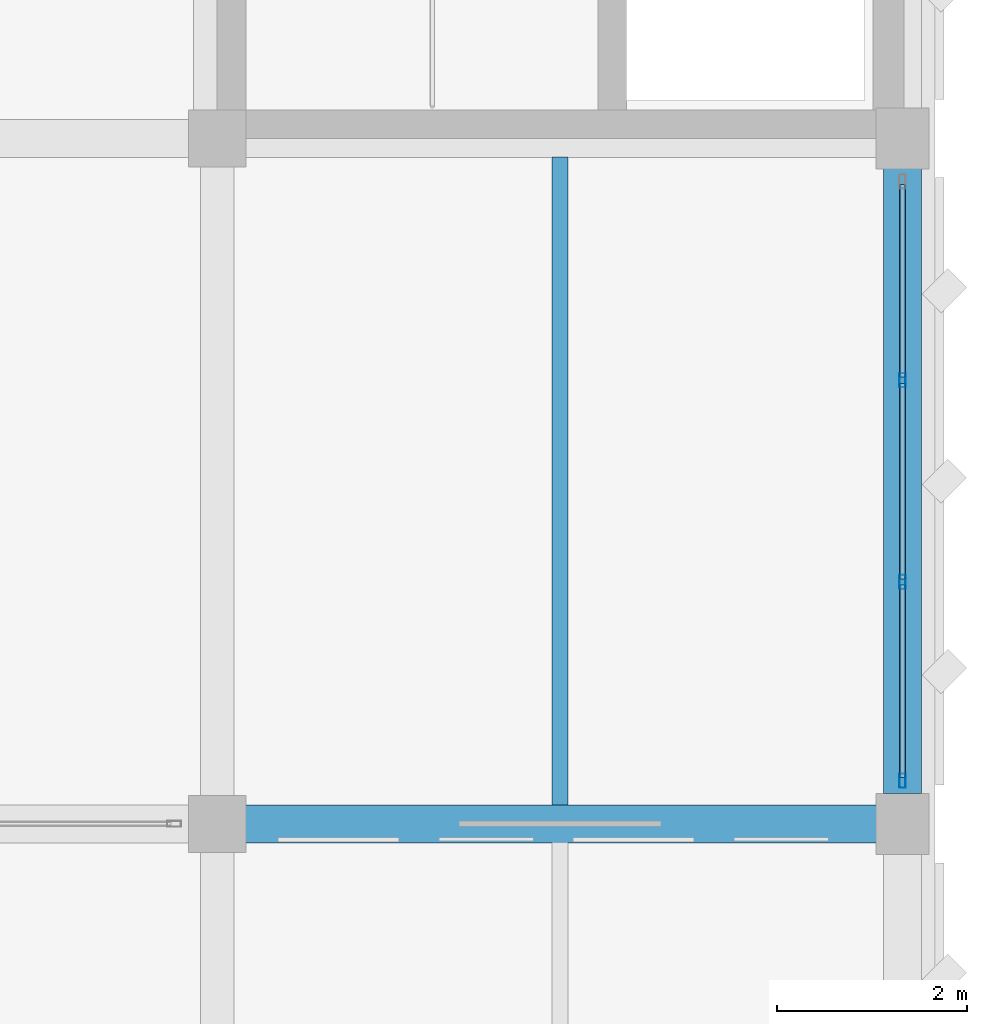
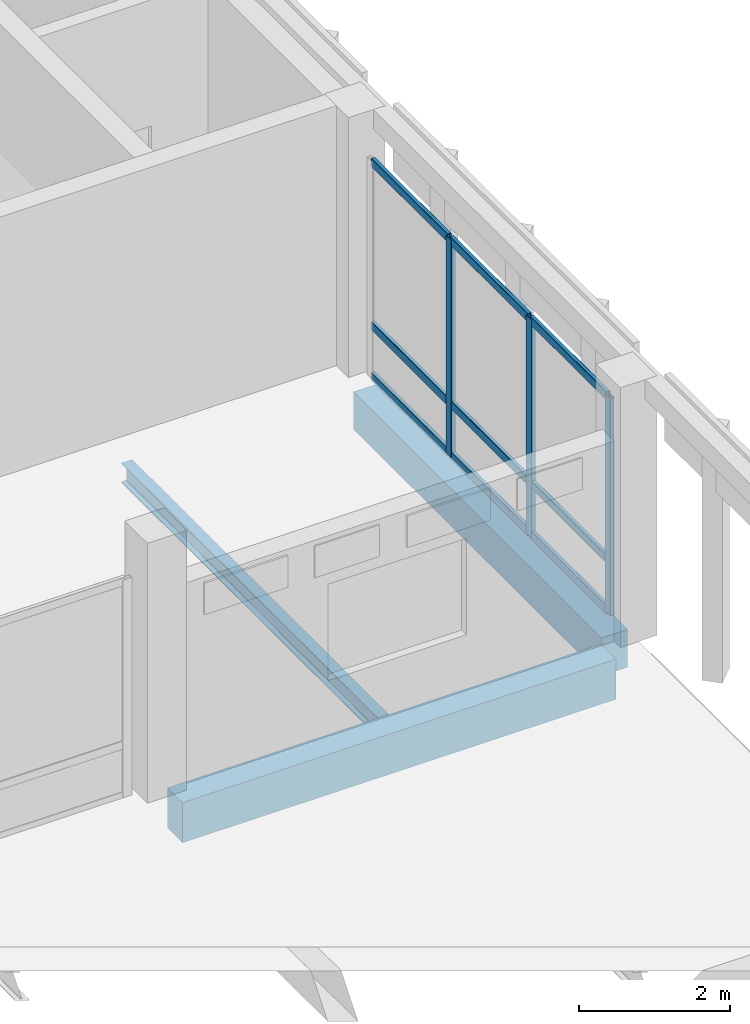
# One storey, part 117 of 158: 12 members, 3 beams, 1 element without a shape of its own.
"""IFC4 building model written with IfcOpenShell, lengths in metres."""

from ifc_helpers import new_model, si_unit, direction, frame, origin, origin_2d, place, context, subcontext, project, spatial, rectangle, hollow_rectangle, i_section, extrude, material, material_profile, profile_set, type_object, element, aggregate, save


model = new_model("IFC4")

# Units and contexts
model_context = context("Model", 3, precision=1e-05, world=origin(), true_north=direction((0.0, 1.0)))
body_context = subcontext(model_context, "Body", "Model", "MODEL_VIEW")
ifc_project = project(units=[si_unit("LENGTHUNIT", "METRE"), si_unit("AREAUNIT", "SQUARE_METRE"), si_unit("VOLUMEUNIT", "CUBIC_METRE"), si_unit("PLANEANGLEUNIT", "RADIAN"), si_unit("MASSUNIT", "GRAM", prefix="KILO")], contexts=[model_context])

# Site, building, storey
site_placement = place(None, origin())
site = spatial("IfcSite", under=ifc_project, at=site_placement, CompositionType="ELEMENT")
building_placement = place(site_placement, origin())
building = spatial("IfcBuilding", under=site, at=building_placement, Name="Lusvemor Sports Hall", CompositionType="ELEMENT")
storey_placement = place(building_placement, frame((0.0, 0.0, 10.800048828125)))
storey = spatial("IfcBuildingStorey", under=building, at=storey_placement, Name="L02", CompositionType="ELEMENT", Elevation=10.800048828125)

# Beam
ifc_material_1 = material(Name="Concrete C40/50", Category="concrete")
ifc_material_profile_1 = material_profile(ifc_material_1, rectangle(XDim=0.39990234375, YDim=0.64990234375, at=origin_2d()), Name="RC400x650")
ifc_profile_set_1 = profile_set([ifc_material_profile_1], Name="Concrete C40/50")
beam_type_1 = type_object("IfcBeamType", Name="BEAM_RC_650", PredefinedType="BEAM", material=ifc_profile_set_1)
beam_1_placement = place(storey_placement, frame((162.2958984375, 97.199951171875, -0.5849609375), z_axis=(1.0, 0.0, 0.0), x_axis=(0.0, 1.0, 0.0)))
element("IfcBeam", 1, at=beam_1_placement, inside=storey, type_object=beam_type_1, Name="Beam L02 N:19-20", PredefinedType="BEAM", context=body_context, shape_type="SweptSolid", body=[
    extrude(rectangle(XDim=0.39990234375, YDim=0.64990234375, at=origin_2d()), origin(), (0.0, 0.0, 1.0), 6.628173828125),
])

# Curtain wall, members
ifc_material_2 = material(Name="Thermally broken bronze-anodized aluminium", Category="aluminium")
curtain_wall_type = type_object("IfcCurtainWallType", Name="CW_WING_B", PredefinedType="NOTDEFINED", material=ifc_material_2)
curtain_wall_placement = place(storey_placement, origin())
curtain_wall = element("IfcCurtainWall", 2, at=curtain_wall_placement, inside=storey, type_object=curtain_wall_type, Name="Curtain Wall CW-L02-E-2-0", PredefinedType="NOTDEFINED")
ifc_material_3 = material(Name="Thermally broken bronze-anodized aluminium", Category="aluminium")
ifc_material_profile_2 = material_profile(ifc_material_3, hollow_rectangle(XDim=0.06494140625, YDim=0.14990234375, WallThickness=0.00390625, InnerFilletRadius=0.00390625, OuterFilletRadius=0.008056640625, at=origin_2d()), Name="CWMUL150x65x4")
ifc_profile_set_2 = profile_set([ifc_material_profile_2], Name="Thermally broken bronze-anodized aluminium")
member_type_1 = type_object("IfcMemberType", Name="CW_MUL_B", PredefinedType="MULLION", material=ifc_profile_set_2)
member_1_placement = place(storey_placement, frame((169.199951171875, 101.860107421875, 0.0), z_axis=(0.0, 0.0, 1.0), x_axis=(1.0, 0.0, 0.0)))
member_1 = element("IfcMember", 3, at=member_1_placement, type_object=member_type_1, Name="CW02 mullion 2", PredefinedType="MULLION", context=body_context, shape_type="SweptSolid", body=[
    extrude(hollow_rectangle(XDim=0.06494140625, YDim=0.14990234375, WallThickness=0.00390625, InnerFilletRadius=0.00390625, OuterFilletRadius=0.008056640625, at=origin_2d()), origin(), (0.0, 0.0, 1.0), 3.52001953125),
])
member_2_placement = place(storey_placement, frame((169.199951171875, 99.739990234375, 0.0), z_axis=(0.0, 0.0, 1.0), x_axis=(1.0, 0.0, 0.0)))
member_2 = element("IfcMember", 4, at=member_2_placement, type_object=member_type_1, Name="CW02 mullion 3", PredefinedType="MULLION", context=body_context, shape_type="SweptSolid", body=[
    extrude(hollow_rectangle(XDim=0.06494140625, YDim=0.14990234375, WallThickness=0.00390625, InnerFilletRadius=0.00390625, OuterFilletRadius=0.008056640625, at=origin_2d()), origin(), (0.0, 0.0, 1.0), 3.52001953125),
])
member_3_placement = place(storey_placement, frame((169.199951171875, 97.652587890625, 0.0), z_axis=(0.0, 0.0, 1.0), x_axis=(1.0, 0.0, 0.0)))
member_3 = element("IfcMember", 5, at=member_3_placement, type_object=member_type_1, Name="CW02 mullion 4", PredefinedType="MULLION", context=body_context, shape_type="SweptSolid", body=[
    extrude(hollow_rectangle(XDim=0.06494140625, YDim=0.14990234375, WallThickness=0.00390625, InnerFilletRadius=0.00390625, OuterFilletRadius=0.008056640625, at=origin_2d()), origin(), (0.0, 0.0, 1.0), 3.52001953125),
])
ifc_material_4 = material(Name="Thermally broken bronze-anodized aluminium", Category="aluminium")
ifc_material_profile_3 = material_profile(ifc_material_4, hollow_rectangle(XDim=0.06005859375, YDim=0.135009765625, WallThickness=0.00390625, InnerFilletRadius=0.00390625, OuterFilletRadius=0.008056640625, at=origin_2d()), Name="CWTRN135x60x4")
ifc_profile_set_3 = profile_set([ifc_material_profile_3], Name="Thermally broken bronze-anodized aluminium")
member_type_2 = type_object("IfcMemberType", Name="CW_TRN_B", PredefinedType="USERDEFINED", material=ifc_profile_set_3)
member_4_placement = place(storey_placement, frame((169.199951171875, 103.9150390625, 0.030029296875), z_axis=(0.0, -1.0, 0.0), x_axis=(1.0, 0.0, 0.0)))
member_4 = element("IfcMember", 6, at=member_4_placement, type_object=member_type_2, Name="CW02 transom 1.1", ObjectType="TRANSOM", PredefinedType="USERDEFINED", context=body_context, shape_type="SweptSolid", body=[
    extrude(hollow_rectangle(XDim=0.06005859375, YDim=0.135009765625, WallThickness=0.00390625, InnerFilletRadius=0.00390625, OuterFilletRadius=0.008056640625, at=origin_2d()), origin(), (0.0, 0.0, 1.0), 2.0224609375),
])
member_5_placement = place(storey_placement, frame((169.199951171875, 103.9150390625, 0.849853515625), z_axis=(0.0, -1.0, 0.0), x_axis=(1.0, 0.0, 0.0)))
member_5 = element("IfcMember", 7, at=member_5_placement, type_object=member_type_2, Name="CW02 transom 1.2", ObjectType="TRANSOM", PredefinedType="USERDEFINED", context=body_context, shape_type="SweptSolid", body=[
    extrude(hollow_rectangle(XDim=0.06005859375, YDim=0.135009765625, WallThickness=0.00390625, InnerFilletRadius=0.00390625, OuterFilletRadius=0.008056640625, at=origin_2d()), origin(), (0.0, 0.0, 1.0), 2.0224609375),
])
member_6_placement = place(storey_placement, frame((169.199951171875, 103.9150390625, 3.489990234375), z_axis=(0.0, -1.0, 0.0), x_axis=(1.0, 0.0, 0.0)))
member_6 = element("IfcMember", 8, at=member_6_placement, type_object=member_type_2, Name="CW02 transom 1.3", ObjectType="TRANSOM", PredefinedType="USERDEFINED", context=body_context, shape_type="SweptSolid", body=[
    extrude(hollow_rectangle(XDim=0.06005859375, YDim=0.135009765625, WallThickness=0.00390625, InnerFilletRadius=0.00390625, OuterFilletRadius=0.008056640625, at=origin_2d()), origin(), (0.0, 0.0, 1.0), 2.0224609375),
])
member_7_placement = place(storey_placement, frame((169.199951171875, 101.827392578125, 0.030029296875), z_axis=(0.0, -1.0, 0.0), x_axis=(1.0, 0.0, 0.0)))
member_7 = element("IfcMember", 9, at=member_7_placement, type_object=member_type_2, Name="CW02 transom 2.1", ObjectType="TRANSOM", PredefinedType="USERDEFINED", context=body_context, shape_type="SweptSolid", body=[
    extrude(hollow_rectangle(XDim=0.06005859375, YDim=0.135009765625, WallThickness=0.00390625, InnerFilletRadius=0.00390625, OuterFilletRadius=0.008056640625, at=origin_2d()), origin(), (0.0, 0.0, 1.0), 2.054931640625),
])
member_8_placement = place(storey_placement, frame((169.199951171875, 101.827392578125, 0.849853515625), z_axis=(0.0, -1.0, 0.0), x_axis=(1.0, 0.0, 0.0)))
member_8 = element("IfcMember", 10, at=member_8_placement, type_object=member_type_2, Name="CW02 transom 2.2", ObjectType="TRANSOM", PredefinedType="USERDEFINED", context=body_context, shape_type="SweptSolid", body=[
    extrude(hollow_rectangle(XDim=0.06005859375, YDim=0.135009765625, WallThickness=0.00390625, InnerFilletRadius=0.00390625, OuterFilletRadius=0.008056640625, at=origin_2d()), origin(), (0.0, 0.0, 1.0), 2.054931640625),
])
member_9_placement = place(storey_placement, frame((169.199951171875, 101.827392578125, 3.489990234375), z_axis=(0.0, -1.0, 0.0), x_axis=(1.0, 0.0, 0.0)))
member_9 = element("IfcMember", 11, at=member_9_placement, type_object=member_type_2, Name="CW02 transom 2.3", ObjectType="TRANSOM", PredefinedType="USERDEFINED", context=body_context, shape_type="SweptSolid", body=[
    extrude(hollow_rectangle(XDim=0.06005859375, YDim=0.135009765625, WallThickness=0.00390625, InnerFilletRadius=0.00390625, OuterFilletRadius=0.008056640625, at=origin_2d()), origin(), (0.0, 0.0, 1.0), 2.054931640625),
])
member_10_placement = place(storey_placement, frame((169.199951171875, 99.70751953125, 0.030029296875), z_axis=(0.0, -1.0, 0.0), x_axis=(1.0, 0.0, 0.0)))
member_10 = element("IfcMember", 12, at=member_10_placement, type_object=member_type_2, Name="CW02 transom 3.1", ObjectType="TRANSOM", PredefinedType="USERDEFINED", context=body_context, shape_type="SweptSolid", body=[
    extrude(hollow_rectangle(XDim=0.06005859375, YDim=0.135009765625, WallThickness=0.00390625, InnerFilletRadius=0.00390625, OuterFilletRadius=0.008056640625, at=origin_2d()), origin(), (0.0, 0.0, 1.0), 2.0224609375),
])
member_11_placement = place(storey_placement, frame((169.199951171875, 99.70751953125, 0.849853515625), z_axis=(0.0, -1.0, 0.0), x_axis=(1.0, 0.0, 0.0)))
member_11 = element("IfcMember", 13, at=member_11_placement, type_object=member_type_2, Name="CW02 transom 3.2", ObjectType="TRANSOM", PredefinedType="USERDEFINED", context=body_context, shape_type="SweptSolid", body=[
    extrude(hollow_rectangle(XDim=0.06005859375, YDim=0.135009765625, WallThickness=0.00390625, InnerFilletRadius=0.00390625, OuterFilletRadius=0.008056640625, at=origin_2d()), origin(), (0.0, 0.0, 1.0), 2.0224609375),
])
member_12_placement = place(storey_placement, frame((169.199951171875, 99.70751953125, 3.489990234375), z_axis=(0.0, -1.0, 0.0), x_axis=(1.0, 0.0, 0.0)))
member_12 = element("IfcMember", 14, at=member_12_placement, type_object=member_type_2, Name="CW02 transom 3.3", ObjectType="TRANSOM", PredefinedType="USERDEFINED", context=body_context, shape_type="SweptSolid", body=[
    extrude(hollow_rectangle(XDim=0.06005859375, YDim=0.135009765625, WallThickness=0.00390625, InnerFilletRadius=0.00390625, OuterFilletRadius=0.008056640625, at=origin_2d()), origin(), (0.0, 0.0, 1.0), 2.0224609375),
])
aggregate(curtain_wall, [member_1, member_2, member_3, member_4, member_5, member_6, member_7, member_8, member_9, member_10, member_11, member_12])

# Beams
ifc_material_5 = material(Name="Steel S355", Category="steel")
ifc_material_profile_4 = material_profile(ifc_material_5, i_section(OverallWidth=0.1669921875, OverallDepth=0.31689453125, WebThickness=0.007568359375, FlangeThickness=0.01318359375, FilletRadius=0.014892578125, at=origin_2d()), Name="W310x52.0")
ifc_profile_set_4 = profile_set([ifc_material_profile_4], Name="Steel S355")
beam_type_2 = type_object("IfcBeamType", Name="JOIST_ST_310M", PredefinedType="JOIST", material=ifc_profile_set_4)
beam_2_placement = place(storey_placement, frame((165.60009765625, 97.39599609375, -0.422607421875), z_axis=(0.0, 1.0, 0.0), x_axis=(-1.0, 0.0, 0.0)))
element("IfcBeam", 15, at=beam_2_placement, inside=storey, type_object=beam_type_2, Name="Secondary Joist L02 19-20/N-P #1", PredefinedType="JOIST", context=body_context, shape_type="SweptSolid", body=[
    extrude(i_section(OverallWidth=0.1669921875, OverallDepth=0.31689453125, WebThickness=0.007568359375, FlangeThickness=0.01318359375, FilletRadius=0.014892578125, at=origin_2d()), origin(), (0.0, 0.0, 1.0), 6.80810546875),
])
ifc_material_6 = material(Name="Concrete C40/50", Category="concrete")
ifc_material_profile_5 = material_profile(ifc_material_6, rectangle(XDim=0.39990234375, YDim=0.610107421875, at=origin_2d()), Name="RC400x610")
ifc_profile_set_5 = profile_set([ifc_material_profile_5], Name="Concrete C40/50")
beam_type_3 = type_object("IfcBeamType", Name="SPAND_EXT_650", PredefinedType="SPANDREL", material=ifc_profile_set_5)
beam_3_placement = place(storey_placement, frame((169.199951171875, 97.51611328125, -0.56494140625), z_axis=(0.0, 1.0, 0.0), x_axis=(-1.0, 0.0, 0.0)))
element("IfcBeam", 16, at=beam_3_placement, inside=storey, type_object=beam_type_3, Name="Beam L02 20:N-P", PredefinedType="SPANDREL", context=body_context, shape_type="SweptSolid", body=[
    extrude(rectangle(XDim=0.39990234375, YDim=0.610107421875, at=origin_2d()), origin(), (0.0, 0.0, 1.0), 6.56787109375),
])

save(model, "model.ifc")
